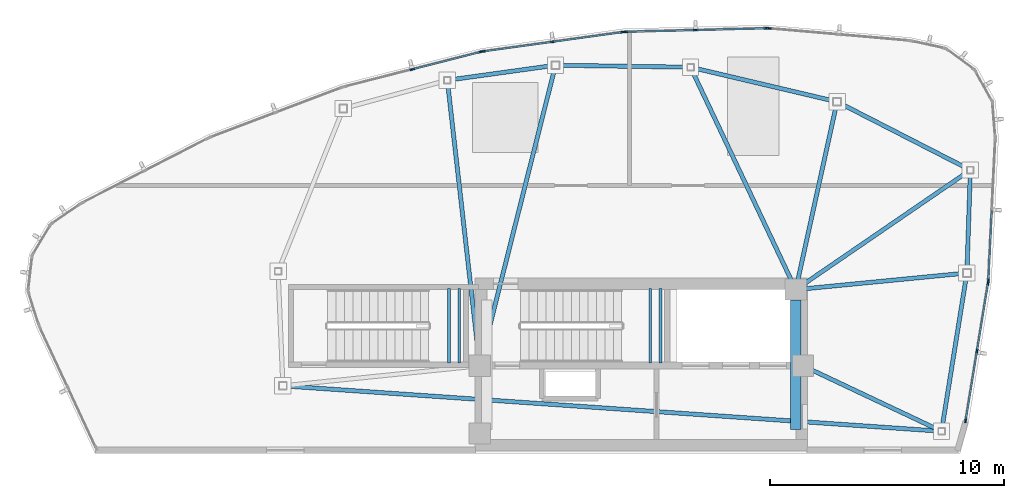
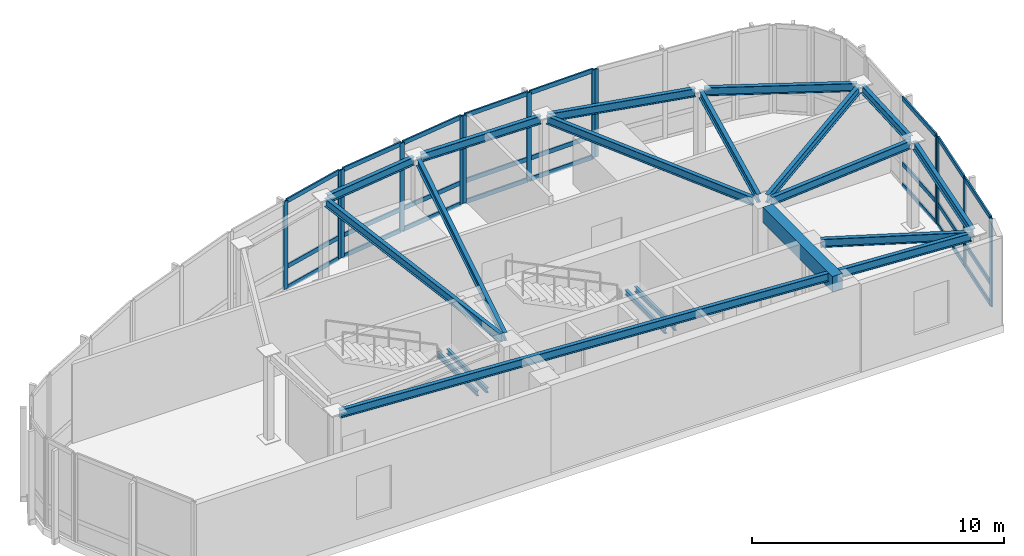
# One storey, part 3 of 10: 37 members, 19 beams, 6 elements without a shape of their own.
"""IFC4 building model written with IfcOpenShell, lengths in metres."""

from ifc_helpers import new_model, si_unit, direction, frame, origin, origin_2d, place, context, subcontext, project, spatial, rectangle, hollow_rectangle, i_section, extrude, source, transform, mapped, material, layer, layer_set, material_profile, profile_set, type_object, type_shapes, element, aggregate, save


model = new_model("IFC4")

# Units and contexts
model_context = context("Model", 3, precision=1e-05, world=origin(), true_north=direction((0.0, 1.0)))
body_context = subcontext(model_context, "Body", "Model", "MODEL_VIEW")
ifc_project = project(units=[si_unit("LENGTHUNIT", "METRE"), si_unit("AREAUNIT", "SQUARE_METRE"), si_unit("VOLUMEUNIT", "CUBIC_METRE"), si_unit("PLANEANGLEUNIT", "RADIAN"), si_unit("MASSUNIT", "GRAM", prefix="KILO")], contexts=[model_context])

# Site, building, storey
site_placement = place(None, origin())
site = spatial("IfcSite", under=ifc_project, at=site_placement, CompositionType="ELEMENT")
building_placement = place(site_placement, origin())
building = spatial("IfcBuilding", under=site, at=building_placement, Name="Tavelor Broadcast Tower", CompositionType="ELEMENT")
storey_placement = place(building_placement, frame((0.0, 0.0, 350.5)))
storey = spatial("IfcBuildingStorey", under=building, at=storey_placement, Name="L83", CompositionType="ELEMENT", Elevation=350.5)

# Beams
ifc_material_1 = material(Name="Concrete C40/50", Category="concrete")
ifc_material_profile_1 = material_profile(ifc_material_1, rectangle(XDim=0.449951171875, YDim=0.75, at=origin_2d()), Name="RC 450x750")
ifc_profile_set_1 = profile_set([ifc_material_profile_1], Name="Concrete C40/50")
beam_type_1 = type_object("IfcBeamType", Name="Basement Core Trim Beam 450x750", PredefinedType="BEAM", material=ifc_profile_set_1)
beam_1_placement = place(storey_placement, frame((56.60009765625, 45.23193359375, 3.875), z_axis=(0.0, 1.0, 0.0), x_axis=(-1.0, 0.0, 0.0)))
element("IfcBeam", 1, at=beam_1_placement, inside=storey, type_object=beam_type_1, Name="L83 Core East-N Tie Girder", PredefinedType="BEAM", context=body_context, shape_type="SweptSolid", body=[
    extrude(rectangle(XDim=0.449951171875, YDim=0.75, at=origin_2d()), origin(), (0.0, 0.0, 1.0), 5.5361328125),
])
ifc_material_2 = material(Name="Steel S355", Category="steel")
ifc_material_profile_2 = material_profile(ifc_material_2, i_section(OverallWidth=0.179931640625, OverallDepth=0.39990234375, WebThickness=0.008544921875, FlangeThickness=0.013427734375, at=origin_2d()), Name="IPE 400")
ifc_profile_set_2 = profile_set([ifc_material_profile_2], Name="Steel S355")
beam_type_2 = type_object("IfcBeamType", Name="Crown Ring Spandrel Beam IPE400", PredefinedType="SPANDREL", material=ifc_profile_set_2)
beam_2_placement = place(storey_placement, frame((34.868896484375, 47.07763671875, 4.050048828125), z_axis=(0.997631178399, -0.068789765859, 0.0), x_axis=(0.068789765859, 0.997631178399, 0.0)))
element("IfcBeam", 2, at=beam_2_placement, inside=storey, type_object=beam_type_2, Name="L83 Crown Peak A Ring Spandrel 3", PredefinedType="SPANDREL", context=body_context, shape_type="SweptSolid", body=[
    extrude(i_section(OverallWidth=0.179931640625, OverallDepth=0.39990234375, WebThickness=0.008544921875, FlangeThickness=0.013427734375, at=origin_2d()), origin(), (0.0, 0.0, 1.0), 27.870849609375),
])
beam_3_placement = place(storey_placement, frame((62.8505859375, 45.301025390625, 4.050048828125), z_axis=(0.158423056648, 0.987371325856, 0.0), x_axis=(-0.987371325856, 0.158423056648, 0.0)))
element("IfcBeam", 3, at=beam_3_placement, inside=storey, type_object=beam_type_2, Name="L83 Crown Peak A Ring Spandrel 4", PredefinedType="SPANDREL", context=body_context, shape_type="SweptSolid", body=[
    extrude(i_section(OverallWidth=0.179931640625, OverallDepth=0.39990234375, WebThickness=0.008544921875, FlangeThickness=0.013427734375, at=origin_2d()), origin(), (0.0, 0.0, 1.0), 6.515625),
])
beam_4_placement = place(storey_placement, frame((57.29052734375, 47.765380859375, 4.050048828125), z_axis=(0.904175381404, -0.427161421085, 0.0), x_axis=(0.427161421085, 0.904175381404, 0.0)))
element("IfcBeam", 4, at=beam_4_placement, inside=storey, type_object=beam_type_2, Name="L83 Crown Peak A Radial Beam 4", PredefinedType="SPANDREL", context=body_context, shape_type="SweptSolid", body=[
    extrude(i_section(OverallWidth=0.179931640625, OverallDepth=0.39990234375, WebThickness=0.008544921875, FlangeThickness=0.013427734375, at=origin_2d()), origin(), (0.0, 0.0, 1.0), 5.9697265625),
])
beam_5_placement = place(storey_placement, frame((63.9169921875, 52.089111328125, 4.050048828125), z_axis=(0.033482656619, 0.99943929866, 0.0), x_axis=(-0.99943929866, 0.033482656619, 0.0)))
element("IfcBeam", 5, at=beam_5_placement, inside=storey, type_object=beam_type_2, Name="L83 Crown Peak A Ring Spandrel 5", PredefinedType="SPANDREL", context=body_context, shape_type="SweptSolid", body=[
    extrude(i_section(OverallWidth=0.179931640625, OverallDepth=0.39990234375, WebThickness=0.008544921875, FlangeThickness=0.013427734375, at=origin_2d()), origin(), (0.0, 0.0, 1.0), 4.068603515625),
])
beam_6_placement = place(storey_placement, frame((57.030029296875, 51.24169921875, 4.050048828125), z_axis=(0.995308664836, 0.096750512672, 0.0), x_axis=(-0.096750512672, 0.995308664836, 0.0)))
element("IfcBeam", 6, at=beam_6_placement, inside=storey, type_object=beam_type_2, Name="L83 Crown Peak A Radial Beam 5", PredefinedType="SPANDREL", context=body_context, shape_type="SweptSolid", body=[
    extrude(i_section(OverallWidth=0.179931640625, OverallDepth=0.39990234375, WebThickness=0.008544921875, FlangeThickness=0.013427734375, at=origin_2d()), origin(), (0.0, 0.0, 1.0), 6.73486328125),
])
beam_7_placement = place(storey_placement, frame((63.922119140625, 56.37841796875, 4.050048828125), z_axis=(-0.889973264193, 0.456012707083, 0.0), x_axis=(-0.456012707083, -0.889973264193, 0.0)))
element("IfcBeam", 7, at=beam_7_placement, inside=storey, type_object=beam_type_2, Name="L83 Crown Peak A Ring Spandrel 6", PredefinedType="SPANDREL", context=body_context, shape_type="SweptSolid", body=[
    extrude(i_section(OverallWidth=0.179931640625, OverallDepth=0.39990234375, WebThickness=0.008544921875, FlangeThickness=0.013427734375, at=origin_2d()), origin(), (0.0, 0.0, 1.0), 6.06689453125),
])
beam_8_placement = place(storey_placement, frame((56.956298828125, 51.444091796875, 4.050048828125), z_axis=(0.825037324604, 0.565078236185, 0.0), x_axis=(-0.565078236185, 0.825037324604, 0.0)))
element("IfcBeam", 8, at=beam_8_placement, inside=storey, type_object=beam_type_2, Name="L83 Crown Peak A Radial Beam 6", PredefinedType="SPANDREL", context=body_context, shape_type="SweptSolid", body=[
    extrude(i_section(OverallWidth=0.179931640625, OverallDepth=0.39990234375, WebThickness=0.008544921875, FlangeThickness=0.013427734375, at=origin_2d()), origin(), (0.0, 0.0, 1.0), 8.455078125),
])
beam_9_placement = place(storey_placement, frame((58.190185546875, 59.26708984375, 4.050048828125), z_axis=(-0.973331019838, 0.229405156485, 0.0), x_axis=(-0.229405156485, -0.973331019838, 0.0)))
element("IfcBeam", 9, at=beam_9_placement, inside=storey, type_object=beam_type_2, Name="L83 Crown Peak A Ring Spandrel 7", PredefinedType="SPANDREL", context=body_context, shape_type="SweptSolid", body=[
    extrude(i_section(OverallWidth=0.179931640625, OverallDepth=0.39990234375, WebThickness=0.008544921875, FlangeThickness=0.013427734375, at=origin_2d()), origin(), (0.0, 0.0, 1.0), 6.10009765625),
])
beam_10_placement = place(storey_placement, frame((56.692626953125, 51.621826171875, 4.050048828125), z_axis=(0.21466342247, 0.976688084832, 0.0), x_axis=(-0.976688084832, 0.21466342247, 0.0)))
element("IfcBeam", 10, at=beam_10_placement, inside=storey, type_object=beam_type_2, Name="L83 Crown Peak A Radial Beam 7", PredefinedType="SPANDREL", context=body_context, shape_type="SweptSolid", body=[
    extrude(i_section(OverallWidth=0.179931640625, OverallDepth=0.39990234375, WebThickness=0.008544921875, FlangeThickness=0.013427734375, at=origin_2d()), origin(), (0.0, 0.0, 1.0), 7.607421875),
])
beam_11_placement = place(storey_placement, frame((51.950927734375, 60.703857421875, 4.050048828125), z_axis=(-0.999890824975, 0.01477626921, 0.0), x_axis=(-0.01477626921, -0.999890824975, 0.0)))
element("IfcBeam", 11, at=beam_11_placement, inside=storey, type_object=beam_type_2, Name="L83 Crown Peak A Ring Spandrel 8", PredefinedType="SPANDREL", context=body_context, shape_type="SweptSolid", body=[
    extrude(i_section(OverallWidth=0.179931640625, OverallDepth=0.39990234375, WebThickness=0.008544921875, FlangeThickness=0.013427734375, at=origin_2d()), origin(), (0.0, 0.0, 1.0), 5.435791015625),
])
beam_12_placement = place(storey_placement, frame((56.415283203125, 51.590576171875, 4.050048828125), z_axis=(-0.427748000898, 0.903898029497, 0.0), x_axis=(-0.903898029497, -0.427748000898, 0.0)))
element("IfcBeam", 12, at=beam_12_placement, inside=storey, type_object=beam_type_2, Name="L83 Crown Peak A Radial Beam 8", PredefinedType="SPANDREL", context=body_context, shape_type="SweptSolid", body=[
    extrude(i_section(OverallWidth=0.179931640625, OverallDepth=0.39990234375, WebThickness=0.008544921875, FlangeThickness=0.013427734375, at=origin_2d()), origin(), (0.0, 0.0, 1.0), 9.926513671875),
])
beam_13_placement = place(storey_placement, frame((46.160400390625, 60.762451171875, 4.050048828125), z_axis=(-0.990512514029, -0.13742255838, 0.0), x_axis=(0.13742255838, -0.990512514029, 0.0)))
element("IfcBeam", 13, at=beam_13_placement, inside=storey, type_object=beam_type_2, Name="L83 Crown Peak A Ring Spandrel 9", PredefinedType="SPANDREL", context=body_context, shape_type="SweptSolid", body=[
    extrude(i_section(OverallWidth=0.179931640625, OverallDepth=0.39990234375, WebThickness=0.008544921875, FlangeThickness=0.013427734375, at=origin_2d()), origin(), (0.0, 0.0, 1.0), 4.334716796875),
])
beam_14_placement = place(storey_placement, frame((43.20556640625, 48.368896484375, 4.050048828125), z_axis=(0.244522996769, 0.969643493275, 0.0), x_axis=(-0.969643493275, 0.244522996769, 0.0)))
element("IfcBeam", 14, at=beam_14_placement, inside=storey, type_object=beam_type_2, Name="L83 Crown Peak A Radial Beam 9", PredefinedType="SPANDREL", context=body_context, shape_type="SweptSolid", body=[
    extrude(i_section(OverallWidth=0.179931640625, OverallDepth=0.39990234375, WebThickness=0.008544921875, FlangeThickness=0.013427734375, at=origin_2d()), origin(), (0.0, 0.0, 1.0), 12.628173828125),
])
beam_15_placement = place(storey_placement, frame((43.05126953125, 48.379150390625, 4.050048828125), z_axis=(-0.112824398256, 0.993614943103, 0.0), x_axis=(-0.993614943103, -0.112824398256, 0.0)))
element("IfcBeam", 15, at=beam_15_placement, inside=storey, type_object=beam_type_2, Name="L83 Crown Peak A Radial Beam 10", PredefinedType="SPANDREL", context=body_context, shape_type="SweptSolid", body=[
    extrude(i_section(OverallWidth=0.179931640625, OverallDepth=0.39990234375, WebThickness=0.008544921875, FlangeThickness=0.013427734375, at=origin_2d()), origin(), (0.0, 0.0, 1.0), 11.689453125),
])
ifc_material_profile_3 = material_profile(ifc_material_2, i_section(OverallWidth=0.1201171875, OverallDepth=0.239990234375, WebThickness=0.006103515625, FlangeThickness=0.009765625, at=origin_2d()), Name="IPE 240")
ifc_profile_set_3 = profile_set([ifc_material_profile_3], Name="Steel S355")
beam_type_3 = type_object("IfcBeamType", Name="Stairwell Landing Support Trimmer Beam IPE240", PredefinedType="BEAM", material=ifc_profile_set_3)
for number, where, z_axis, x_axis, name in (
    (16, (50.385009765625, 48.06005859375, 1.985107421875), (0.0, 1.0, 0.0), (-1.0, 0.0, 0.0), "L83 Stair Landing Support Beam 211"),
    (17, (50.824951171875, 48.06005859375, 1.985107421875), (0.0, 1.0, 0.0), (-1.0, 0.0, 0.0), "L83 Stair Landing Support Beam 212"),
    (18, (41.784912109375, 48.06005859375, 1.985107421875), (0.0, 1.0, 0.0), (-1.0, 0.0, 0.0), "L83 Stair Landing Support Beam 481"),
    (19, (42.22509765625, 48.06005859375, 1.985107421875), (0.0, 1.0, 0.0), (-1.0, 0.0, 0.0), "L83 Stair Landing Support Beam 482"),
):
    element("IfcBeam", number, at=place(storey_placement, frame(where, z_axis=z_axis, x_axis=x_axis)), inside=storey, type_object=beam_type_3, Name=name, PredefinedType="BEAM", context=body_context, shape_type="SweptSolid", body=[
        extrude(i_section(OverallWidth=0.1201171875, OverallDepth=0.239990234375, WebThickness=0.006103515625, FlangeThickness=0.009765625, at=origin_2d()), origin(), (0.0, 0.0, 1.0), 3.179931640625),
    ])

# Curtain wall, members
ifc_material_3 = material(Name="Architectural Anodized Aluminium", Category="aluminium")
ifc_layer = layer(ifc_material_3, 0.2099609375)
ifc_layer_set = layer_set([ifc_layer], Name="Architectural Anodized Aluminium")
curtain_wall_type = type_object("IfcCurtainWallType", Name="Split-Crown Beacon Curtain Wall CW06", PredefinedType="NOTDEFINED", material=ifc_layer_set)
curtain_wall_1_placement = place(storey_placement, origin())
curtain_wall_1 = element("IfcCurtainWall", 20, at=curtain_wall_1_placement, inside=storey, type_object=curtain_wall_type, Name="L83 Curtain Wall CW06 Run 972", PredefinedType="NOTDEFINED")
ifc_material_profile_4 = material_profile(ifc_material_3, hollow_rectangle(XDim=0.072021484375, YDim=0.2099609375, WallThickness=0.02197265625, at=origin_2d()), Name="RHS 72x210x22")
ifc_profile_set_4 = profile_set([ifc_material_profile_4], Name="Architectural Anodized Aluminium")
member_type_1 = type_object("IfcMemberType", Name="CW06 Extruded Aluminium Mullion 72x210", PredefinedType="MULLION", material=ifc_profile_set_4)
shared_shape_1 = source(origin(), body_context, "Body", "SweptSolid", [
    extrude(hollow_rectangle(XDim=0.072021484375, YDim=0.2099609375, WallThickness=0.02197265625, at=origin_2d()), origin(), (0.0, 0.0, 1.0), 4.25),
])
type_shapes(member_type_1, [shared_shape_1])
member_1_placement = place(storey_placement, frame((63.857177734375, 45.61328125, 0.0), z_axis=(0.0, 0.0, 1.0), x_axis=(-0.986991376607, 0.160773202066, 0.0)))
member_1 = element("IfcMember", 21, at=member_1_placement, type_object=member_type_1, Name="CW06 mullion 1", PredefinedType="MULLION", context=body_context, shape_type="MappedRepresentation", body=[
    mapped(shared_shape_1, transform((0.0, 0.0, 0.0), scale=1.0)),
])
member_2_placement = place(storey_placement, frame((64.336669921875, 48.55615234375, 0.0), z_axis=(0.0, 0.0, 1.0), x_axis=(-0.986991376607, 0.160773202066, 0.0)))
member_2 = element("IfcMember", 22, at=member_2_placement, type_object=member_type_1, Name="CW06 mullion 2", PredefinedType="MULLION", context=body_context, shape_type="MappedRepresentation", body=[
    mapped(shared_shape_1, transform((0.0, 0.0, 0.0), scale=1.0)),
])
member_3_placement = place(storey_placement, frame((64.81591796875, 51.4990234375, 0.0), z_axis=(0.0, 0.0, 1.0), x_axis=(-0.986991376607, 0.160773202066, 0.0)))
member_3 = element("IfcMember", 23, at=member_3_placement, type_object=member_type_1, Name="CW06 mullion 3", PredefinedType="MULLION", context=body_context, shape_type="MappedRepresentation", body=[
    mapped(shared_shape_1, transform((0.0, 0.0, 0.0), scale=1.0)),
])

# Curtain wall, member
curtain_wall_2_placement = place(storey_placement, origin())
curtain_wall_2 = element("IfcCurtainWall", 24, at=curtain_wall_2_placement, inside=storey, type_object=curtain_wall_type, Name="L83 Curtain Wall CW06 Run 973", PredefinedType="NOTDEFINED")
member_4_placement = place(storey_placement, frame((64.82666015625, 51.600341796875, 0.0), z_axis=(0.0, 0.0, 1.0), x_axis=(-0.998788745619, 0.049204081376, 0.0)))
member_4 = element("IfcMember", 25, at=member_4_placement, type_object=member_type_1, Name="CW06 mullion 1", PredefinedType="MULLION", context=body_context, shape_type="MappedRepresentation", body=[
    mapped(shared_shape_1, transform((0.0, 0.0, 0.0), scale=1.0)),
])

curtain_wall_3_placement = place(storey_placement, origin())
curtain_wall_3 = element("IfcCurtainWall", 26, at=curtain_wall_3_placement, inside=storey, type_object=curtain_wall_type, Name="L83 Curtain Wall CW06 Run 978", PredefinedType="NOTDEFINED")
member_5_placement = place(storey_placement, frame((55.43994140625, 62.3603515625, 0.0), z_axis=(0.0, 0.0, 1.0), x_axis=(-0.086800835673, -0.996225684735, 0.0)))
member_5 = element("IfcMember", 27, at=member_5_placement, type_object=member_type_1, Name="CW06 mullion 3", PredefinedType="MULLION", context=body_context, shape_type="MappedRepresentation", body=[
    mapped(shared_shape_1, transform((0.0, 0.0, 0.0), scale=1.0)),
])
aggregate(curtain_wall_3, [member_5])

# Curtain wall, members
curtain_wall_4_placement = place(storey_placement, origin())
curtain_wall_4 = element("IfcCurtainWall", 28, at=curtain_wall_4_placement, inside=storey, type_object=curtain_wall_type, Name="L83 Curtain Wall CW06 Run 979", PredefinedType="NOTDEFINED")
member_6_placement = place(storey_placement, frame((55.338134765625, 62.363525390625, 0.0), z_axis=(0.0, 0.0, 1.0), x_axis=(0.025343184824, -0.99967880991, 0.0)))
member_6 = element("IfcMember", 29, at=member_6_placement, type_object=member_type_1, Name="CW06 mullion 1", PredefinedType="MULLION", context=body_context, shape_type="MappedRepresentation", body=[
    mapped(shared_shape_1, transform((0.0, 0.0, 0.0), scale=1.0)),
])
member_7_placement = place(storey_placement, frame((52.324951171875, 62.287109375, 0.0), z_axis=(0.0, 0.0, 1.0), x_axis=(0.025343184824, -0.99967880991, 0.0)))
member_7 = element("IfcMember", 30, at=member_7_placement, type_object=member_type_1, Name="CW06 mullion 2", PredefinedType="MULLION", context=body_context, shape_type="MappedRepresentation", body=[
    mapped(shared_shape_1, transform((0.0, 0.0, 0.0), scale=1.0)),
])
member_8_placement = place(storey_placement, frame((49.311767578125, 62.210693359375, 0.0), z_axis=(0.0, 0.0, 1.0), x_axis=(0.025343184824, -0.99967880991, 0.0)))
member_8 = element("IfcMember", 31, at=member_8_placement, type_object=member_type_1, Name="CW06 mullion 3", PredefinedType="MULLION", context=body_context, shape_type="MappedRepresentation", body=[
    mapped(shared_shape_1, transform((0.0, 0.0, 0.0), scale=1.0)),
])

curtain_wall_5_placement = place(storey_placement, origin())
curtain_wall_5 = element("IfcCurtainWall", 32, at=curtain_wall_5_placement, inside=storey, type_object=curtain_wall_type, Name="L83 Curtain Wall CW06 Run 980", PredefinedType="NOTDEFINED")
member_9_placement = place(storey_placement, frame((49.21044921875, 62.20263671875, 0.0), z_axis=(0.0, 0.0, 1.0), x_axis=(0.137174339292, -0.990546919959, 0.0)))
member_9 = element("IfcMember", 33, at=member_9_placement, type_object=member_type_1, Name="CW06 mullion 1", PredefinedType="MULLION", context=body_context, shape_type="MappedRepresentation", body=[
    mapped(shared_shape_1, transform((0.0, 0.0, 0.0), scale=1.0)),
])
member_10_placement = place(storey_placement, frame((46.224853515625, 61.7890625, 0.0), z_axis=(0.0, 0.0, 1.0), x_axis=(0.137174339292, -0.990546919959, 0.0)))
member_10 = element("IfcMember", 34, at=member_10_placement, type_object=member_type_1, Name="CW06 mullion 2", PredefinedType="MULLION", context=body_context, shape_type="MappedRepresentation", body=[
    mapped(shared_shape_1, transform((0.0, 0.0, 0.0), scale=1.0)),
])
member_11_placement = place(storey_placement, frame((43.2392578125, 61.375732421875, 0.0), z_axis=(0.0, 0.0, 1.0), x_axis=(0.137174339292, -0.990546919959, 0.0)))
member_11 = element("IfcMember", 35, at=member_11_placement, type_object=member_type_1, Name="CW06 mullion 3", PredefinedType="MULLION", context=body_context, shape_type="MappedRepresentation", body=[
    mapped(shared_shape_1, transform((0.0, 0.0, 0.0), scale=1.0)),
])

curtain_wall_6_placement = place(storey_placement, origin())
curtain_wall_6 = element("IfcCurtainWall", 36, at=curtain_wall_6_placement, inside=storey, type_object=curtain_wall_type, Name="L83 Curtain Wall CW06 Run 981", PredefinedType="NOTDEFINED")
member_12_placement = place(storey_placement, frame((43.13916015625, 61.35595703125, 0.0), z_axis=(0.0, 0.0, 1.0), x_axis=(0.247269295002, -0.968946797172, 0.0)))
member_12 = element("IfcMember", 37, at=member_12_placement, type_object=member_type_1, Name="CW06 mullion 1", PredefinedType="MULLION", context=body_context, shape_type="MappedRepresentation", body=[
    mapped(shared_shape_1, transform((0.0, 0.0, 0.0), scale=1.0)),
])
member_13_placement = place(storey_placement, frame((40.21875, 60.610595703125, 0.0), z_axis=(0.0, 0.0, 1.0), x_axis=(0.247269295002, -0.968946797172, 0.0)))
member_13 = element("IfcMember", 38, at=member_13_placement, type_object=member_type_1, Name="CW06 mullion 2", PredefinedType="MULLION", context=body_context, shape_type="MappedRepresentation", body=[
    mapped(shared_shape_1, transform((0.0, 0.0, 0.0), scale=1.0)),
])

# Member
ifc_material_profile_5 = material_profile(ifc_material_3, hollow_rectangle(XDim=0.072021484375, YDim=0.2099609375, WallThickness=0.02197265625, at=origin_2d()), Name="RHS 72x210x22")
ifc_profile_set_5 = profile_set([ifc_material_profile_5], Name="Architectural Anodized Aluminium")
member_type_2 = type_object("IfcMemberType", Name="CW06 Extruded Aluminium Transom 72x210", PredefinedType="USERDEFINED", material=ifc_profile_set_5)
shared_shape_2 = source(origin(), body_context, "Body", "SweptSolid", [
    extrude(hollow_rectangle(XDim=0.072021484375, YDim=0.2099609375, WallThickness=0.02197265625, at=origin_2d()), origin(), (0.0, 0.0, 1.0), 2.941650390625),
])
member_14_placement = place(storey_placement, frame((64.828369140625, 51.63623046875, 0.035888671875), z_axis=(0.049217329158, 0.998788092896, 0.0), x_axis=(-0.998788092896, 0.049217329158, 0.0)))
member_14 = element("IfcMember", 39, at=member_14_placement, type_object=member_type_2, Name="CW06 transom 1.1", ObjectType="TRANSOM", PredefinedType="USERDEFINED", context=body_context, shape_type="MappedRepresentation", body=[
    mapped(shared_shape_2, transform((0.0, 0.0, 0.0), scale=1.0)),
])

member_15_placement = place(storey_placement, frame((64.828369140625, 51.63623046875, 1.050048828125), z_axis=(0.049217329158, 0.998788092896, 0.0), x_axis=(-0.998788092896, 0.049217329158, 0.0)))
member_15 = element("IfcMember", 40, at=member_15_placement, type_object=member_type_2, Name="CW06 transom 1.2", ObjectType="TRANSOM", PredefinedType="USERDEFINED", context=body_context, shape_type="MappedRepresentation", body=[
    mapped(shared_shape_2, transform((0.0, 0.0, 0.0), scale=1.0)),
])

member_16_placement = place(storey_placement, frame((64.828369140625, 51.63623046875, 4.214111328125), z_axis=(0.049217329158, 0.998788092896, 0.0), x_axis=(-0.998788092896, 0.049217329158, 0.0)))
member_16 = element("IfcMember", 41, at=member_16_placement, type_object=member_type_2, Name="CW06 transom 1.3", ObjectType="TRANSOM", PredefinedType="USERDEFINED", context=body_context, shape_type="MappedRepresentation", body=[
    mapped(shared_shape_2, transform((0.0, 0.0, 0.0), scale=1.0)),
])

aggregate(curtain_wall_2, [member_4, member_14, member_15, member_16])

shared_shape_3 = source(origin(), body_context, "Body", "SweptSolid", [
    extrude(hollow_rectangle(XDim=0.072021484375, YDim=0.2099609375, WallThickness=0.02197265625, at=origin_2d()), origin(), (0.0, 0.0, 1.0), 2.94189453125),
])
member_17_placement = place(storey_placement, frame((43.104248046875, 61.34716796875, 0.035888671875), z_axis=(-0.968939714018, -0.247297049313, 0.0), x_axis=(0.247297049313, -0.968939714018, 0.0)))
member_17 = element("IfcMember", 42, at=member_17_placement, type_object=member_type_2, Name="CW06 transom 1.1", ObjectType="TRANSOM", PredefinedType="USERDEFINED", context=body_context, shape_type="MappedRepresentation", body=[
    mapped(shared_shape_3, transform((0.0, 0.0, 0.0), scale=1.0)),
])

member_18_placement = place(storey_placement, frame((43.104248046875, 61.34716796875, 1.050048828125), z_axis=(-0.968939714018, -0.247297049313, 0.0), x_axis=(0.247297049313, -0.968939714018, 0.0)))
member_18 = element("IfcMember", 43, at=member_18_placement, type_object=member_type_2, Name="CW06 transom 1.2", ObjectType="TRANSOM", PredefinedType="USERDEFINED", context=body_context, shape_type="MappedRepresentation", body=[
    mapped(shared_shape_3, transform((0.0, 0.0, 0.0), scale=1.0)),
])

member_19_placement = place(storey_placement, frame((43.104248046875, 61.34716796875, 4.214111328125), z_axis=(-0.968939714018, -0.247297049313, 0.0), x_axis=(0.247297049313, -0.968939714018, 0.0)))
member_19 = element("IfcMember", 44, at=member_19_placement, type_object=member_type_2, Name="CW06 transom 1.3", ObjectType="TRANSOM", PredefinedType="USERDEFINED", context=body_context, shape_type="MappedRepresentation", body=[
    mapped(shared_shape_3, transform((0.0, 0.0, 0.0), scale=1.0)),
])

aggregate(curtain_wall_6, [member_12, member_13, member_17, member_18, member_19])

shared_shape_4 = source(origin(), body_context, "Body", "SweptSolid", [
    extrude(hollow_rectangle(XDim=0.072021484375, YDim=0.2099609375, WallThickness=0.02197265625, at=origin_2d()), origin(), (0.0, 0.0, 1.0), 2.942138671875),
])
member_20_placement = place(storey_placement, frame((55.30224609375, 62.36279296875, 0.035888671875), z_axis=(-0.999677562943, -0.025392324584, 0.0), x_axis=(0.025392324584, -0.999677562943, 0.0)))
member_20 = element("IfcMember", 45, at=member_20_placement, type_object=member_type_2, Name="CW06 transom 1.1", ObjectType="TRANSOM", PredefinedType="USERDEFINED", context=body_context, shape_type="MappedRepresentation", body=[
    mapped(shared_shape_4, transform((0.0, 0.0, 0.0), scale=1.0)),
])

member_21_placement = place(storey_placement, frame((55.30224609375, 62.36279296875, 1.050048828125), z_axis=(-0.999677562943, -0.025392324584, 0.0), x_axis=(0.025392324584, -0.999677562943, 0.0)))
member_21 = element("IfcMember", 46, at=member_21_placement, type_object=member_type_2, Name="CW06 transom 1.2", ObjectType="TRANSOM", PredefinedType="USERDEFINED", context=body_context, shape_type="MappedRepresentation", body=[
    mapped(shared_shape_4, transform((0.0, 0.0, 0.0), scale=1.0)),
])

member_22_placement = place(storey_placement, frame((55.30224609375, 62.36279296875, 4.214111328125), z_axis=(-0.999677562943, -0.025392324584, 0.0), x_axis=(0.025392324584, -0.999677562943, 0.0)))
member_22 = element("IfcMember", 47, at=member_22_placement, type_object=member_type_2, Name="CW06 transom 1.3", ObjectType="TRANSOM", PredefinedType="USERDEFINED", context=body_context, shape_type="MappedRepresentation", body=[
    mapped(shared_shape_4, transform((0.0, 0.0, 0.0), scale=1.0)),
])

member_23_placement = place(storey_placement, frame((52.2890625, 62.286376953125, 0.035888671875), z_axis=(-0.999677562943, -0.025392324584, 0.0), x_axis=(0.025392324584, -0.999677562943, 0.0)))
member_23 = element("IfcMember", 48, at=member_23_placement, type_object=member_type_2, Name="CW06 transom 2.1", ObjectType="TRANSOM", PredefinedType="USERDEFINED", context=body_context, shape_type="MappedRepresentation", body=[
    mapped(shared_shape_4, transform((0.0, 0.0, 0.0), scale=1.0)),
])

member_24_placement = place(storey_placement, frame((52.2890625, 62.286376953125, 1.050048828125), z_axis=(-0.999677562943, -0.025392324584, 0.0), x_axis=(0.025392324584, -0.999677562943, 0.0)))
member_24 = element("IfcMember", 49, at=member_24_placement, type_object=member_type_2, Name="CW06 transom 2.2", ObjectType="TRANSOM", PredefinedType="USERDEFINED", context=body_context, shape_type="MappedRepresentation", body=[
    mapped(shared_shape_4, transform((0.0, 0.0, 0.0), scale=1.0)),
])

member_25_placement = place(storey_placement, frame((52.2890625, 62.286376953125, 4.214111328125), z_axis=(-0.999677562943, -0.025392324584, 0.0), x_axis=(0.025392324584, -0.999677562943, 0.0)))
member_25 = element("IfcMember", 50, at=member_25_placement, type_object=member_type_2, Name="CW06 transom 2.3", ObjectType="TRANSOM", PredefinedType="USERDEFINED", context=body_context, shape_type="MappedRepresentation", body=[
    mapped(shared_shape_4, transform((0.0, 0.0, 0.0), scale=1.0)),
])

aggregate(curtain_wall_4, [member_6, member_7, member_8, member_20, member_21, member_22, member_23, member_24, member_25])

member_26_placement = place(storey_placement, frame((49.1748046875, 62.197509765625, 0.035888671875), z_axis=(-0.990547785375, -0.137168089907, 0.0), x_axis=(0.137168089907, -0.990547785375, 0.0)))
member_26 = element("IfcMember", 51, at=member_26_placement, type_object=member_type_2, Name="CW06 transom 1.1", ObjectType="TRANSOM", PredefinedType="USERDEFINED", context=body_context, shape_type="MappedRepresentation", body=[
    mapped(shared_shape_4, transform((0.0, 0.0, 0.0), scale=1.0)),
])

member_27_placement = place(storey_placement, frame((49.1748046875, 62.197509765625, 1.050048828125), z_axis=(-0.990547785375, -0.137168089907, 0.0), x_axis=(0.137168089907, -0.990547785375, 0.0)))
member_27 = element("IfcMember", 52, at=member_27_placement, type_object=member_type_2, Name="CW06 transom 1.2", ObjectType="TRANSOM", PredefinedType="USERDEFINED", context=body_context, shape_type="MappedRepresentation", body=[
    mapped(shared_shape_4, transform((0.0, 0.0, 0.0), scale=1.0)),
])

member_28_placement = place(storey_placement, frame((49.1748046875, 62.197509765625, 4.214111328125), z_axis=(-0.990547785375, -0.137168089907, 0.0), x_axis=(0.137168089907, -0.990547785375, 0.0)))
member_28 = element("IfcMember", 53, at=member_28_placement, type_object=member_type_2, Name="CW06 transom 1.3", ObjectType="TRANSOM", PredefinedType="USERDEFINED", context=body_context, shape_type="MappedRepresentation", body=[
    mapped(shared_shape_4, transform((0.0, 0.0, 0.0), scale=1.0)),
])

member_29_placement = place(storey_placement, frame((46.189208984375, 61.7841796875, 0.035888671875), z_axis=(-0.990547785375, -0.137168089907, 0.0), x_axis=(0.137168089907, -0.990547785375, 0.0)))
member_29 = element("IfcMember", 54, at=member_29_placement, type_object=member_type_2, Name="CW06 transom 2.1", ObjectType="TRANSOM", PredefinedType="USERDEFINED", context=body_context, shape_type="MappedRepresentation", body=[
    mapped(shared_shape_4, transform((0.0, 0.0, 0.0), scale=1.0)),
])

member_30_placement = place(storey_placement, frame((46.189208984375, 61.7841796875, 1.050048828125), z_axis=(-0.990547785375, -0.137168089907, 0.0), x_axis=(0.137168089907, -0.990547785375, 0.0)))
member_30 = element("IfcMember", 55, at=member_30_placement, type_object=member_type_2, Name="CW06 transom 2.2", ObjectType="TRANSOM", PredefinedType="USERDEFINED", context=body_context, shape_type="MappedRepresentation", body=[
    mapped(shared_shape_4, transform((0.0, 0.0, 0.0), scale=1.0)),
])

member_31_placement = place(storey_placement, frame((46.189208984375, 61.7841796875, 4.214111328125), z_axis=(-0.990547785375, -0.137168089907, 0.0), x_axis=(0.137168089907, -0.990547785375, 0.0)))
member_31 = element("IfcMember", 56, at=member_31_placement, type_object=member_type_2, Name="CW06 transom 2.3", ObjectType="TRANSOM", PredefinedType="USERDEFINED", context=body_context, shape_type="MappedRepresentation", body=[
    mapped(shared_shape_4, transform((0.0, 0.0, 0.0), scale=1.0)),
])

aggregate(curtain_wall_5, [member_9, member_10, member_11, member_26, member_27, member_28, member_29, member_30, member_31])

shared_shape_5 = source(origin(), body_context, "Body", "SweptSolid", [
    extrude(hollow_rectangle(XDim=0.072021484375, YDim=0.2099609375, WallThickness=0.02197265625, at=origin_2d()), origin(), (0.0, 0.0, 1.0), 2.909423828125),
])
type_shapes(member_type_2, [shared_shape_2, shared_shape_3, shared_shape_4, shared_shape_5])
member_32_placement = place(storey_placement, frame((63.863037109375, 45.64892578125, 0.035888671875), z_axis=(0.160778260401, 0.986990552631, 0.0), x_axis=(-0.986990552631, 0.160778260401, 0.0)))
member_32 = element("IfcMember", 57, at=member_32_placement, type_object=member_type_2, Name="CW06 transom 1.1", ObjectType="TRANSOM", PredefinedType="USERDEFINED", context=body_context, shape_type="MappedRepresentation", body=[
    mapped(shared_shape_5, transform((0.0, 0.0, 0.0), scale=1.0)),
])

member_33_placement = place(storey_placement, frame((63.863037109375, 45.64892578125, 1.050048828125), z_axis=(0.160778260401, 0.986990552631, 0.0), x_axis=(-0.986990552631, 0.160778260401, 0.0)))
member_33 = element("IfcMember", 58, at=member_33_placement, type_object=member_type_2, Name="CW06 transom 1.2", ObjectType="TRANSOM", PredefinedType="USERDEFINED", context=body_context, shape_type="MappedRepresentation", body=[
    mapped(shared_shape_5, transform((0.0, 0.0, 0.0), scale=1.0)),
])

member_34_placement = place(storey_placement, frame((63.863037109375, 45.64892578125, 4.214111328125), z_axis=(0.160778260401, 0.986990552631, 0.0), x_axis=(-0.986990552631, 0.160778260401, 0.0)))
member_34 = element("IfcMember", 59, at=member_34_placement, type_object=member_type_2, Name="CW06 transom 1.3", ObjectType="TRANSOM", PredefinedType="USERDEFINED", context=body_context, shape_type="MappedRepresentation", body=[
    mapped(shared_shape_5, transform((0.0, 0.0, 0.0), scale=1.0)),
])

member_35_placement = place(storey_placement, frame((64.34228515625, 48.591796875, 0.035888671875), z_axis=(0.160778260401, 0.986990552631, 0.0), x_axis=(-0.986990552631, 0.160778260401, 0.0)))
member_35 = element("IfcMember", 60, at=member_35_placement, type_object=member_type_2, Name="CW06 transom 2.1", ObjectType="TRANSOM", PredefinedType="USERDEFINED", context=body_context, shape_type="MappedRepresentation", body=[
    mapped(shared_shape_5, transform((0.0, 0.0, 0.0), scale=1.0)),
])

member_36_placement = place(storey_placement, frame((64.34228515625, 48.591796875, 1.050048828125), z_axis=(0.160778260401, 0.986990552631, 0.0), x_axis=(-0.986990552631, 0.160778260401, 0.0)))
member_36 = element("IfcMember", 61, at=member_36_placement, type_object=member_type_2, Name="CW06 transom 2.2", ObjectType="TRANSOM", PredefinedType="USERDEFINED", context=body_context, shape_type="MappedRepresentation", body=[
    mapped(shared_shape_5, transform((0.0, 0.0, 0.0), scale=1.0)),
])

member_37_placement = place(storey_placement, frame((64.34228515625, 48.591796875, 4.214111328125), z_axis=(0.160778260401, 0.986990552631, 0.0), x_axis=(-0.986990552631, 0.160778260401, 0.0)))
member_37 = element("IfcMember", 62, at=member_37_placement, type_object=member_type_2, Name="CW06 transom 2.3", ObjectType="TRANSOM", PredefinedType="USERDEFINED", context=body_context, shape_type="MappedRepresentation", body=[
    mapped(shared_shape_5, transform((0.0, 0.0, 0.0), scale=1.0)),
])

aggregate(curtain_wall_1, [member_1, member_2, member_3, member_32, member_33, member_34, member_35, member_36, member_37])

save(model, "model.ifc")
